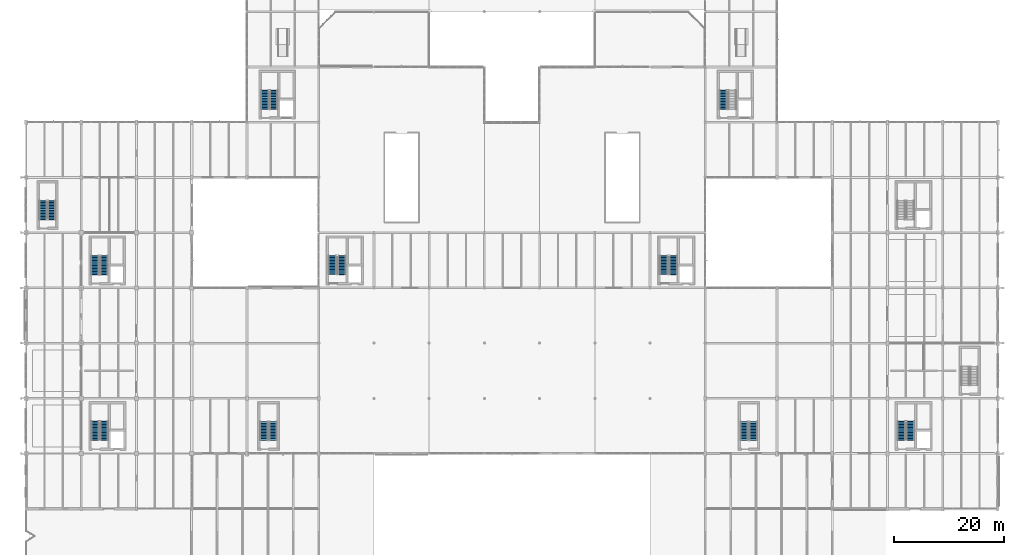
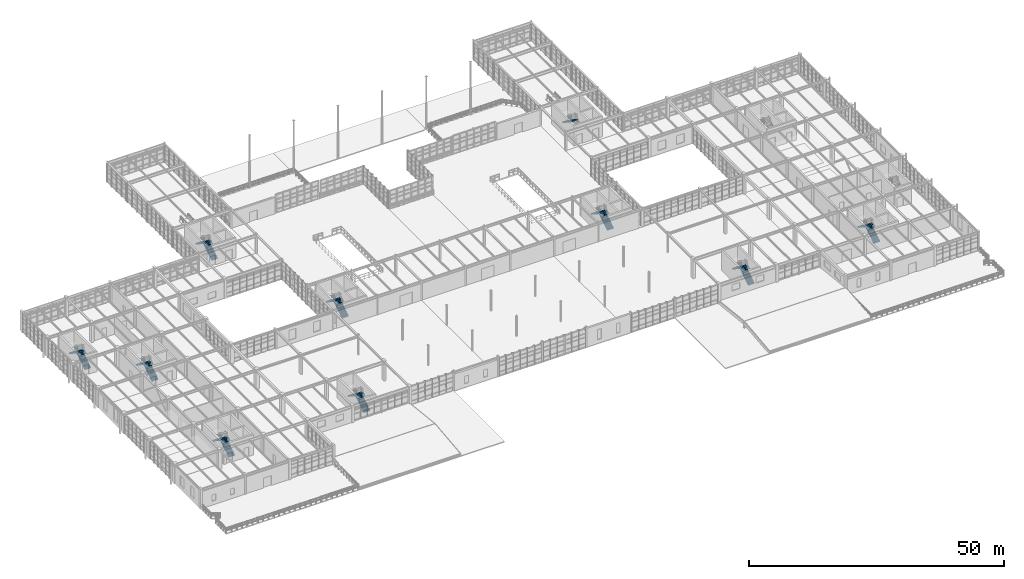
# One storey, part 123 of 139: 19 stair flights, 10 elements without a shape of their own.
"""IFC4 building model written with IfcOpenShell, lengths in metres."""

from ifc_helpers import new_model, si_unit, direction, frame, origin, place, context, subcontext, project, spatial, polyline, outline, extrude, material, type_object, element, aggregate, save


model = new_model("IFC4")

# Units and contexts
model_context = context("Model", 3, precision=1e-05, world=origin(), true_north=direction((0.0, 1.0)))
body_context = subcontext(model_context, "Body", "Model", "MODEL_VIEW")
ifc_project = project(units=[si_unit("LENGTHUNIT", "METRE"), si_unit("AREAUNIT", "SQUARE_METRE"), si_unit("VOLUMEUNIT", "CUBIC_METRE"), si_unit("PLANEANGLEUNIT", "RADIAN"), si_unit("MASSUNIT", "GRAM", prefix="KILO"), si_unit("THERMODYNAMICTEMPERATUREUNIT", "KELVIN"), si_unit("POWERUNIT", "WATT")], contexts=[model_context])

# Site, building, storey
site_placement = place(None, origin())
site = spatial("IfcSite", under=ifc_project, at=site_placement, CompositionType="ELEMENT")
building_placement = place(site_placement, origin())
building = spatial("IfcBuilding", under=site, at=building_placement, Name="Korenveer Ferry Terminal", CompositionType="ELEMENT")
storey_placement = place(building_placement, frame((0.0, 0.0, 5.39990234375)))
storey = spatial("IfcBuildingStorey", under=building, at=storey_placement, Name="L01", CompositionType="ELEMENT", Elevation=5.39990234375)

# Stair, stair flights
ifc_material = material(Name="Concrete C40/50", Category="concrete")
stair_type_1 = type_object("IfcStairType", Name="INT-ST-02", PredefinedType="HALF_TURN_STAIR", material=ifc_material)
stair_1_placement = place(storey_placement, frame((14.175048828125, 22.449951171875, 0.0)))
stair_1 = element("IfcStair", 1, at=stair_1_placement, inside=storey, type_object=stair_type_1, Name="L01 West Firefighting Core K1", PredefinedType="HALF_TURN_STAIR")
stair_flight_type_1 = type_object("IfcStairFlightType", Name="INT-SF-02", PredefinedType="STRAIGHT", material=ifc_material)
stair_flight_1_placement = place(storey_placement, frame((14.175048828125, 22.449951171875, 0.0), z_axis=(0.0, 0.0, 1.0), x_axis=(0.0, 1.0, 0.0)))
stair_flight_1 = element("IfcStairFlight", 2, at=stair_flight_1_placement, type_object=stair_flight_type_1, Name="ST01 flight 1", NumberOfRisers=13, NumberOfTreads=12, PredefinedType="STRAIGHT", RiserHeight=0.184615385, TreadLength=0.28, context=body_context, shape_type="SweptSolid", body=[
    extrude(outline(polyline([(-0.080078125, 0.0), (0.0, 0.0), (0.0, 0.1845703125), (0.280029296875, 0.1845703125), (0.280029296875, 0.369140625), (0.56005859375, 0.369140625), (0.56005859375, 0.553955078125), (0.840087890625, 0.553955078125), (0.840087890625, 0.738525390625), (1.1201171875, 0.738525390625), (1.1201171875, 0.923095703125), (1.39990234375, 0.923095703125), (1.39990234375, 1.107666015625), (1.679931640625, 1.107666015625), (1.679931640625, 1.292236328125), (1.9599609375, 1.292236328125), (1.9599609375, 1.476806640625), (2.239990234375, 1.476806640625), (2.239990234375, 1.66162109375), (2.52001953125, 1.66162109375), (2.52001953125, 1.84619140625), (2.800048828125, 1.84619140625), (2.800048828125, 2.03076171875), (3.080078125, 2.03076171875), (3.080078125, 2.21533203125), (3.360107421875, 2.21533203125), (3.360107421875, 2.39990234375), (3.420166015625, 2.39990234375), (3.420166015625, 2.25), (3.360107421875, 2.035888671875), (0.272216796875, 0.0), (0.0, -0.10009765625), (-0.080078125, -0.10009765625), (-0.080078125, 0.0)])), frame((0.0, 0.72509765625, 0.0), z_axis=(0.0, -1.0, 0.0), x_axis=(1.0, 0.0, 0.0)), (0.0, 0.0, 1.0), 1.449951171875),
])
stair_flight_2_placement = place(storey_placement, frame((12.52490234375, 25.81005859375, 2.400146484375), z_axis=(0.0, 0.0, 1.0), x_axis=(0.0, -1.0, 0.0)))
stair_flight_2 = element("IfcStairFlight", 3, at=stair_flight_2_placement, type_object=stair_flight_type_1, Name="ST01 flight 2", NumberOfRisers=13, NumberOfTreads=12, PredefinedType="STRAIGHT", RiserHeight=0.184615385, TreadLength=0.28, context=body_context, shape_type="SweptSolid", body=[
    extrude(outline(polyline([(-0.080078125, 0.0), (0.0, 0.0), (0.0, 0.1845703125), (0.280029296875, 0.1845703125), (0.280029296875, 0.369140625), (0.56005859375, 0.369140625), (0.56005859375, 0.553955078125), (0.840087890625, 0.553955078125), (0.840087890625, 0.738525390625), (1.1201171875, 0.738525390625), (1.1201171875, 0.923095703125), (1.39990234375, 0.923095703125), (1.39990234375, 1.107666015625), (1.679931640625, 1.107666015625), (1.679931640625, 1.292236328125), (1.9599609375, 1.292236328125), (1.9599609375, 1.476806640625), (2.239990234375, 1.476806640625), (2.239990234375, 1.66162109375), (2.52001953125, 1.66162109375), (2.52001953125, 1.84619140625), (2.800048828125, 1.84619140625), (2.800048828125, 2.03076171875), (3.080078125, 2.03076171875), (3.080078125, 2.21533203125), (3.360107421875, 2.21533203125), (3.360107421875, 2.39990234375), (3.420166015625, 2.39990234375), (3.420166015625, 2.25), (3.360107421875, 2.035888671875), (0.272216796875, 0.0), (0.0, -0.10009765625), (-0.080078125, -0.10009765625), (-0.080078125, 0.0)])), frame((0.0, 0.72509765625, 0.0), z_axis=(0.0, -1.0, 0.0), x_axis=(1.0, 0.0, 0.0)), (0.0, 0.0, 1.0), 1.449951171875),
])
aggregate(stair_1, [stair_flight_1, stair_flight_2])

stair_2_placement = place(storey_placement, frame((14.135009765625, 52.409912109375, 0.0)))
stair_2 = element("IfcStair", 4, at=stair_2_placement, inside=storey, type_object=stair_type_1, Name="L01 West Operations Core K2", PredefinedType="HALF_TURN_STAIR")
stair_flight_3_placement = place(storey_placement, frame((14.135009765625, 52.409912109375, 0.0), z_axis=(0.0, 0.0, 1.0), x_axis=(0.0, 1.0, 0.0)))
stair_flight_3 = element("IfcStairFlight", 5, at=stair_flight_3_placement, type_object=stair_flight_type_1, Name="ST02 flight 1", NumberOfRisers=13, NumberOfTreads=12, PredefinedType="STRAIGHT", RiserHeight=0.184615385, TreadLength=0.28, context=body_context, shape_type="SweptSolid", body=[
    extrude(outline(polyline([(-0.080078125, 0.0), (0.0, 0.0), (0.0, 0.1845703125), (0.280029296875, 0.1845703125), (0.280029296875, 0.369140625), (0.56005859375, 0.369140625), (0.56005859375, 0.553955078125), (0.840087890625, 0.553955078125), (0.840087890625, 0.738525390625), (1.1201171875, 0.738525390625), (1.1201171875, 0.923095703125), (1.39990234375, 0.923095703125), (1.39990234375, 1.107666015625), (1.679931640625, 1.107666015625), (1.679931640625, 1.292236328125), (1.9599609375, 1.292236328125), (1.9599609375, 1.476806640625), (2.239990234375, 1.476806640625), (2.239990234375, 1.66162109375), (2.52001953125, 1.66162109375), (2.52001953125, 1.84619140625), (2.800048828125, 1.84619140625), (2.800048828125, 2.03076171875), (3.080078125, 2.03076171875), (3.080078125, 2.21533203125), (3.360107421875, 2.21533203125), (3.360107421875, 2.39990234375), (3.420166015625, 2.39990234375), (3.420166015625, 2.25), (3.360107421875, 2.035888671875), (0.272216796875, 0.0), (0.0, -0.10009765625), (-0.080078125, -0.10009765625), (-0.080078125, 0.0)])), frame((0.0, 0.72509765625, 0.0), z_axis=(0.0, -1.0, 0.0), x_axis=(1.0, 0.0, 0.0)), (0.0, 0.0, 1.0), 1.449951171875),
])
stair_flight_4_placement = place(storey_placement, frame((12.485107421875, 55.77001953125, 2.400146484375), z_axis=(0.0, 0.0, 1.0), x_axis=(0.0, -1.0, 0.0)))
stair_flight_4 = element("IfcStairFlight", 6, at=stair_flight_4_placement, type_object=stair_flight_type_1, Name="ST02 flight 2", NumberOfRisers=13, NumberOfTreads=12, PredefinedType="STRAIGHT", RiserHeight=0.184615385, TreadLength=0.28, context=body_context, shape_type="SweptSolid", body=[
    extrude(outline(polyline([(-0.080078125, 0.0), (0.0, 0.0), (0.0, 0.1845703125), (0.280029296875, 0.1845703125), (0.280029296875, 0.369140625), (0.56005859375, 0.369140625), (0.56005859375, 0.553955078125), (0.840087890625, 0.553955078125), (0.840087890625, 0.738525390625), (1.1201171875, 0.738525390625), (1.1201171875, 0.923095703125), (1.39990234375, 0.923095703125), (1.39990234375, 1.107666015625), (1.679931640625, 1.107666015625), (1.679931640625, 1.292236328125), (1.9599609375, 1.292236328125), (1.9599609375, 1.476806640625), (2.239990234375, 1.476806640625), (2.239990234375, 1.66162109375), (2.52001953125, 1.66162109375), (2.52001953125, 1.84619140625), (2.800048828125, 1.84619140625), (2.800048828125, 2.03076171875), (3.080078125, 2.03076171875), (3.080078125, 2.21533203125), (3.360107421875, 2.21533203125), (3.360107421875, 2.39990234375), (3.420166015625, 2.39990234375), (3.420166015625, 2.25), (3.360107421875, 2.035888671875), (0.272216796875, 0.0), (0.0, -0.10009765625), (-0.080078125, -0.10009765625), (-0.080078125, 0.0)])), frame((0.0, 0.72509765625, 0.0), z_axis=(0.0, -1.0, 0.0), x_axis=(1.0, 0.0, 0.0)), (0.0, 0.0, 1.0), 1.449951171875),
])
aggregate(stair_2, [stair_flight_3, stair_flight_4])

stair_3_placement = place(storey_placement, frame((160.175048828125, 22.449951171875, 0.0)))
stair_3 = element("IfcStair", 7, at=stair_3_placement, inside=storey, type_object=stair_type_1, Name="L01 East Firefighting Core K3", PredefinedType="HALF_TURN_STAIR")
stair_flight_5_placement = place(storey_placement, frame((160.175048828125, 22.449951171875, 0.0), z_axis=(0.0, 0.0, 1.0), x_axis=(0.0, 1.0, 0.0)))
stair_flight_5 = element("IfcStairFlight", 8, at=stair_flight_5_placement, type_object=stair_flight_type_1, Name="ST03 flight 1", NumberOfRisers=13, NumberOfTreads=12, PredefinedType="STRAIGHT", RiserHeight=0.184615385, TreadLength=0.28, context=body_context, shape_type="SweptSolid", body=[
    extrude(outline(polyline([(-0.080078125, 0.0), (0.0, 0.0), (0.0, 0.1845703125), (0.280029296875, 0.1845703125), (0.280029296875, 0.369140625), (0.56005859375, 0.369140625), (0.56005859375, 0.553955078125), (0.840087890625, 0.553955078125), (0.840087890625, 0.738525390625), (1.1201171875, 0.738525390625), (1.1201171875, 0.923095703125), (1.39990234375, 0.923095703125), (1.39990234375, 1.107666015625), (1.679931640625, 1.107666015625), (1.679931640625, 1.292236328125), (1.9599609375, 1.292236328125), (1.9599609375, 1.476806640625), (2.239990234375, 1.476806640625), (2.239990234375, 1.66162109375), (2.52001953125, 1.66162109375), (2.52001953125, 1.84619140625), (2.800048828125, 1.84619140625), (2.800048828125, 2.03076171875), (3.080078125, 2.03076171875), (3.080078125, 2.21533203125), (3.360107421875, 2.21533203125), (3.360107421875, 2.39990234375), (3.420166015625, 2.39990234375), (3.420166015625, 2.25), (3.360107421875, 2.035888671875), (0.272216796875, 0.0), (0.0, -0.10009765625), (-0.080078125, -0.10009765625), (-0.080078125, 0.0)])), frame((0.0, 0.72509765625, 0.0), z_axis=(0.0, -1.0, 0.0), x_axis=(1.0, 0.0, 0.0)), (0.0, 0.0, 1.0), 1.449951171875),
])
stair_flight_6_placement = place(storey_placement, frame((158.52490234375, 25.81005859375, 2.400146484375), z_axis=(0.0, 0.0, 1.0), x_axis=(0.0, -1.0, 0.0)))
stair_flight_6 = element("IfcStairFlight", 9, at=stair_flight_6_placement, type_object=stair_flight_type_1, Name="ST03 flight 2", NumberOfRisers=13, NumberOfTreads=12, PredefinedType="STRAIGHT", RiserHeight=0.184615385, TreadLength=0.28, context=body_context, shape_type="SweptSolid", body=[
    extrude(outline(polyline([(-0.080078125, 0.0), (0.0, 0.0), (0.0, 0.1845703125), (0.280029296875, 0.1845703125), (0.280029296875, 0.369140625), (0.56005859375, 0.369140625), (0.56005859375, 0.553955078125), (0.840087890625, 0.553955078125), (0.840087890625, 0.738525390625), (1.1201171875, 0.738525390625), (1.1201171875, 0.923095703125), (1.39990234375, 0.923095703125), (1.39990234375, 1.107666015625), (1.679931640625, 1.107666015625), (1.679931640625, 1.292236328125), (1.9599609375, 1.292236328125), (1.9599609375, 1.476806640625), (2.239990234375, 1.476806640625), (2.239990234375, 1.66162109375), (2.52001953125, 1.66162109375), (2.52001953125, 1.84619140625), (2.800048828125, 1.84619140625), (2.800048828125, 2.03076171875), (3.080078125, 2.03076171875), (3.080078125, 2.21533203125), (3.360107421875, 2.21533203125), (3.360107421875, 2.39990234375), (3.420166015625, 2.39990234375), (3.420166015625, 2.25), (3.360107421875, 2.035888671875), (0.272216796875, 0.0), (0.0, -0.10009765625), (-0.080078125, -0.10009765625), (-0.080078125, 0.0)])), frame((0.0, 0.72509765625, 0.0), z_axis=(0.0, -1.0, 0.0), x_axis=(1.0, 0.0, 0.0)), (0.0, 0.0, 1.0), 1.449951171875),
])
aggregate(stair_3, [stair_flight_5, stair_flight_6])

stair_4_placement = place(storey_placement, frame((44.735107421875, 22.409912109375, 0.0)))
stair_4 = element("IfcStair", 10, at=stair_4_placement, inside=storey, type_object=stair_type_1, Name="L01 Arrivals West Stair Core K9", PredefinedType="HALF_TURN_STAIR")
stair_flight_7_placement = place(storey_placement, frame((44.735107421875, 22.409912109375, 0.0), z_axis=(0.0, 0.0, 1.0), x_axis=(0.0, 1.0, 0.0)))
stair_flight_7 = element("IfcStairFlight", 11, at=stair_flight_7_placement, type_object=stair_flight_type_1, Name="ST09 flight 1", NumberOfRisers=13, NumberOfTreads=12, PredefinedType="STRAIGHT", RiserHeight=0.184615385, TreadLength=0.28, context=body_context, shape_type="SweptSolid", body=[
    extrude(outline(polyline([(-0.080078125, 0.0), (0.0, 0.0), (0.0, 0.1845703125), (0.280029296875, 0.1845703125), (0.280029296875, 0.369140625), (0.56005859375, 0.369140625), (0.56005859375, 0.553955078125), (0.840087890625, 0.553955078125), (0.840087890625, 0.738525390625), (1.1201171875, 0.738525390625), (1.1201171875, 0.923095703125), (1.39990234375, 0.923095703125), (1.39990234375, 1.107666015625), (1.679931640625, 1.107666015625), (1.679931640625, 1.292236328125), (1.9599609375, 1.292236328125), (1.9599609375, 1.476806640625), (2.239990234375, 1.476806640625), (2.239990234375, 1.66162109375), (2.52001953125, 1.66162109375), (2.52001953125, 1.84619140625), (2.800048828125, 1.84619140625), (2.800048828125, 2.03076171875), (3.080078125, 2.03076171875), (3.080078125, 2.21533203125), (3.360107421875, 2.21533203125), (3.360107421875, 2.39990234375), (3.420166015625, 2.39990234375), (3.420166015625, 2.25), (3.360107421875, 2.035888671875), (0.272216796875, 0.0), (0.0, -0.10009765625), (-0.080078125, -0.10009765625), (-0.080078125, 0.0)])), frame((0.0, 0.72509765625, 0.0), z_axis=(0.0, -1.0, 0.0), x_axis=(1.0, 0.0, 0.0)), (0.0, 0.0, 1.0), 1.449951171875),
])
stair_flight_8_placement = place(storey_placement, frame((43.0849609375, 25.77001953125, 2.400146484375), z_axis=(0.0, 0.0, 1.0), x_axis=(0.0, -1.0, 0.0)))
stair_flight_8 = element("IfcStairFlight", 12, at=stair_flight_8_placement, type_object=stair_flight_type_1, Name="ST09 flight 2", NumberOfRisers=13, NumberOfTreads=12, PredefinedType="STRAIGHT", RiserHeight=0.184615385, TreadLength=0.28, context=body_context, shape_type="SweptSolid", body=[
    extrude(outline(polyline([(-0.080078125, 0.0), (0.0, 0.0), (0.0, 0.1845703125), (0.280029296875, 0.1845703125), (0.280029296875, 0.369140625), (0.56005859375, 0.369140625), (0.56005859375, 0.553955078125), (0.840087890625, 0.553955078125), (0.840087890625, 0.738525390625), (1.1201171875, 0.738525390625), (1.1201171875, 0.923095703125), (1.39990234375, 0.923095703125), (1.39990234375, 1.107666015625), (1.679931640625, 1.107666015625), (1.679931640625, 1.292236328125), (1.9599609375, 1.292236328125), (1.9599609375, 1.476806640625), (2.239990234375, 1.476806640625), (2.239990234375, 1.66162109375), (2.52001953125, 1.66162109375), (2.52001953125, 1.84619140625), (2.800048828125, 1.84619140625), (2.800048828125, 2.03076171875), (3.080078125, 2.03076171875), (3.080078125, 2.21533203125), (3.360107421875, 2.21533203125), (3.360107421875, 2.39990234375), (3.420166015625, 2.39990234375), (3.420166015625, 2.25), (3.360107421875, 2.035888671875), (0.272216796875, 0.0), (0.0, -0.10009765625), (-0.080078125, -0.10009765625), (-0.080078125, 0.0)])), frame((0.0, 0.72509765625, 0.0), z_axis=(0.0, -1.0, 0.0), x_axis=(1.0, 0.0, 0.0)), (0.0, 0.0, 1.0), 1.449951171875),
])
aggregate(stair_4, [stair_flight_7, stair_flight_8])

stair_5_placement = place(storey_placement, frame((131.735107421875, 22.409912109375, 0.0)))
stair_5 = element("IfcStair", 13, at=stair_5_placement, inside=storey, type_object=stair_type_1, Name="L01 Arrivals East Stair Core K10", PredefinedType="HALF_TURN_STAIR")
stair_flight_9_placement = place(storey_placement, frame((131.735107421875, 22.409912109375, 0.0), z_axis=(0.0, 0.0, 1.0), x_axis=(0.0, 1.0, 0.0)))
stair_flight_9 = element("IfcStairFlight", 14, at=stair_flight_9_placement, type_object=stair_flight_type_1, Name="ST10 flight 1", NumberOfRisers=13, NumberOfTreads=12, PredefinedType="STRAIGHT", RiserHeight=0.184615385, TreadLength=0.28, context=body_context, shape_type="SweptSolid", body=[
    extrude(outline(polyline([(-0.080078125, 0.0), (0.0, 0.0), (0.0, 0.1845703125), (0.280029296875, 0.1845703125), (0.280029296875, 0.369140625), (0.56005859375, 0.369140625), (0.56005859375, 0.553955078125), (0.840087890625, 0.553955078125), (0.840087890625, 0.738525390625), (1.1201171875, 0.738525390625), (1.1201171875, 0.923095703125), (1.39990234375, 0.923095703125), (1.39990234375, 1.107666015625), (1.679931640625, 1.107666015625), (1.679931640625, 1.292236328125), (1.9599609375, 1.292236328125), (1.9599609375, 1.476806640625), (2.239990234375, 1.476806640625), (2.239990234375, 1.66162109375), (2.52001953125, 1.66162109375), (2.52001953125, 1.84619140625), (2.800048828125, 1.84619140625), (2.800048828125, 2.03076171875), (3.080078125, 2.03076171875), (3.080078125, 2.21533203125), (3.360107421875, 2.21533203125), (3.360107421875, 2.39990234375), (3.420166015625, 2.39990234375), (3.420166015625, 2.25), (3.360107421875, 2.035888671875), (0.272216796875, 0.0), (0.0, -0.10009765625), (-0.080078125, -0.10009765625), (-0.080078125, 0.0)])), frame((0.0, 0.72509765625, 0.0), z_axis=(0.0, -1.0, 0.0), x_axis=(1.0, 0.0, 0.0)), (0.0, 0.0, 1.0), 1.449951171875),
])
stair_flight_10_placement = place(storey_placement, frame((130.0849609375, 25.77001953125, 2.400146484375), z_axis=(0.0, 0.0, 1.0), x_axis=(0.0, -1.0, 0.0)))
stair_flight_10 = element("IfcStairFlight", 15, at=stair_flight_10_placement, type_object=stair_flight_type_1, Name="ST10 flight 2", NumberOfRisers=13, NumberOfTreads=12, PredefinedType="STRAIGHT", RiserHeight=0.184615385, TreadLength=0.28, context=body_context, shape_type="SweptSolid", body=[
    extrude(outline(polyline([(-0.080078125, 0.0), (0.0, 0.0), (0.0, 0.1845703125), (0.280029296875, 0.1845703125), (0.280029296875, 0.369140625), (0.56005859375, 0.369140625), (0.56005859375, 0.553955078125), (0.840087890625, 0.553955078125), (0.840087890625, 0.738525390625), (1.1201171875, 0.738525390625), (1.1201171875, 0.923095703125), (1.39990234375, 0.923095703125), (1.39990234375, 1.107666015625), (1.679931640625, 1.107666015625), (1.679931640625, 1.292236328125), (1.9599609375, 1.292236328125), (1.9599609375, 1.476806640625), (2.239990234375, 1.476806640625), (2.239990234375, 1.66162109375), (2.52001953125, 1.66162109375), (2.52001953125, 1.84619140625), (2.800048828125, 1.84619140625), (2.800048828125, 2.03076171875), (3.080078125, 2.03076171875), (3.080078125, 2.21533203125), (3.360107421875, 2.21533203125), (3.360107421875, 2.39990234375), (3.420166015625, 2.39990234375), (3.420166015625, 2.25), (3.360107421875, 2.035888671875), (0.272216796875, 0.0), (0.0, -0.10009765625), (-0.080078125, -0.10009765625), (-0.080078125, 0.0)])), frame((0.0, 0.72509765625, 0.0), z_axis=(0.0, -1.0, 0.0), x_axis=(1.0, 0.0, 0.0)), (0.0, 0.0, 1.0), 1.449951171875),
])
aggregate(stair_5, [stair_flight_9, stair_flight_10])

stair_type_2 = type_object("IfcStairType", Name="INT-ST-06", PredefinedType="HALF_TURN_STAIR", material=ifc_material)
stair_6_placement = place(storey_placement, frame((57.2099609375, 52.4599609375, 0.0)))
stair_6 = element("IfcStair", 16, at=stair_6_placement, inside=storey, type_object=stair_type_2, Name="L01 Departure West Core K5", PredefinedType="HALF_TURN_STAIR")
stair_flight_type_2 = type_object("IfcStairFlightType", Name="INT-SF-06", PredefinedType="STRAIGHT", material=ifc_material)
stair_flight_11_placement = place(storey_placement, frame((57.2099609375, 52.4599609375, 0.0), z_axis=(0.0, 0.0, 1.0), x_axis=(0.0, 1.0, 0.0)))
stair_flight_11 = element("IfcStairFlight", 17, at=stair_flight_11_placement, type_object=stair_flight_type_2, Name="ST05 flight 1", NumberOfRisers=13, NumberOfTreads=12, PredefinedType="STRAIGHT", RiserHeight=0.184615385, TreadLength=0.28, context=body_context, shape_type="SweptSolid", body=[
    extrude(outline(polyline([(-0.080078125, 0.0), (0.0, 0.0), (0.0, 0.1845703125), (0.280029296875, 0.1845703125), (0.280029296875, 0.369140625), (0.56005859375, 0.369140625), (0.56005859375, 0.553955078125), (0.840087890625, 0.553955078125), (0.840087890625, 0.738525390625), (1.1201171875, 0.738525390625), (1.1201171875, 0.923095703125), (1.39990234375, 0.923095703125), (1.39990234375, 1.107666015625), (1.679931640625, 1.107666015625), (1.679931640625, 1.292236328125), (1.9599609375, 1.292236328125), (1.9599609375, 1.476806640625), (2.239990234375, 1.476806640625), (2.239990234375, 1.66162109375), (2.52001953125, 1.66162109375), (2.52001953125, 1.84619140625), (2.800048828125, 1.84619140625), (2.800048828125, 2.03076171875), (3.080078125, 2.03076171875), (3.080078125, 2.21533203125), (3.360107421875, 2.21533203125), (3.360107421875, 2.39990234375), (3.420166015625, 2.39990234375), (3.420166015625, 2.25), (3.360107421875, 2.035888671875), (0.272216796875, 0.0), (0.0, -0.10009765625), (-0.080078125, -0.10009765625), (-0.080078125, 0.0)])), frame((0.0, 0.75, 0.0), z_axis=(0.0, -1.0, 0.0), x_axis=(1.0, 0.0, 0.0)), (0.0, 0.0, 1.0), 1.5),
])
stair_flight_12_placement = place(storey_placement, frame((55.510009765625, 55.820068359375, 2.400146484375), z_axis=(0.0, 0.0, 1.0), x_axis=(0.0, -1.0, 0.0)))
stair_flight_12 = element("IfcStairFlight", 18, at=stair_flight_12_placement, type_object=stair_flight_type_2, Name="ST05 flight 2", NumberOfRisers=13, NumberOfTreads=12, PredefinedType="STRAIGHT", RiserHeight=0.184615385, TreadLength=0.28, context=body_context, shape_type="SweptSolid", body=[
    extrude(outline(polyline([(-0.080078125, 0.0), (0.0, 0.0), (0.0, 0.1845703125), (0.280029296875, 0.1845703125), (0.280029296875, 0.369140625), (0.56005859375, 0.369140625), (0.56005859375, 0.553955078125), (0.840087890625, 0.553955078125), (0.840087890625, 0.738525390625), (1.1201171875, 0.738525390625), (1.1201171875, 0.923095703125), (1.39990234375, 0.923095703125), (1.39990234375, 1.107666015625), (1.679931640625, 1.107666015625), (1.679931640625, 1.292236328125), (1.9599609375, 1.292236328125), (1.9599609375, 1.476806640625), (2.239990234375, 1.476806640625), (2.239990234375, 1.66162109375), (2.52001953125, 1.66162109375), (2.52001953125, 1.84619140625), (2.800048828125, 1.84619140625), (2.800048828125, 2.03076171875), (3.080078125, 2.03076171875), (3.080078125, 2.21533203125), (3.360107421875, 2.21533203125), (3.360107421875, 2.39990234375), (3.420166015625, 2.39990234375), (3.420166015625, 2.25), (3.360107421875, 2.035888671875), (0.272216796875, 0.0), (0.0, -0.10009765625), (-0.080078125, -0.10009765625), (-0.080078125, 0.0)])), frame((0.0, 0.75, 0.0), z_axis=(0.0, -1.0, 0.0), x_axis=(1.0, 0.0, 0.0)), (0.0, 0.0, 1.0), 1.5),
])
aggregate(stair_6, [stair_flight_11, stair_flight_12])

stair_7_placement = place(storey_placement, frame((117.2099609375, 52.4599609375, 0.0)))
stair_7 = element("IfcStair", 19, at=stair_7_placement, inside=storey, type_object=stair_type_2, Name="L01 Departure East Core K6", PredefinedType="HALF_TURN_STAIR")
stair_flight_13_placement = place(storey_placement, frame((117.2099609375, 52.4599609375, 0.0), z_axis=(0.0, 0.0, 1.0), x_axis=(0.0, 1.0, 0.0)))
stair_flight_13 = element("IfcStairFlight", 20, at=stair_flight_13_placement, type_object=stair_flight_type_2, Name="ST06 flight 1", NumberOfRisers=13, NumberOfTreads=12, PredefinedType="STRAIGHT", RiserHeight=0.184615385, TreadLength=0.28, context=body_context, shape_type="SweptSolid", body=[
    extrude(outline(polyline([(-0.080078125, 0.0), (0.0, 0.0), (0.0, 0.1845703125), (0.280029296875, 0.1845703125), (0.280029296875, 0.369140625), (0.56005859375, 0.369140625), (0.56005859375, 0.553955078125), (0.840087890625, 0.553955078125), (0.840087890625, 0.738525390625), (1.1201171875, 0.738525390625), (1.1201171875, 0.923095703125), (1.39990234375, 0.923095703125), (1.39990234375, 1.107666015625), (1.679931640625, 1.107666015625), (1.679931640625, 1.292236328125), (1.9599609375, 1.292236328125), (1.9599609375, 1.476806640625), (2.239990234375, 1.476806640625), (2.239990234375, 1.66162109375), (2.52001953125, 1.66162109375), (2.52001953125, 1.84619140625), (2.800048828125, 1.84619140625), (2.800048828125, 2.03076171875), (3.080078125, 2.03076171875), (3.080078125, 2.21533203125), (3.360107421875, 2.21533203125), (3.360107421875, 2.39990234375), (3.420166015625, 2.39990234375), (3.420166015625, 2.25), (3.360107421875, 2.035888671875), (0.272216796875, 0.0), (0.0, -0.10009765625), (-0.080078125, -0.10009765625), (-0.080078125, 0.0)])), frame((0.0, 0.75, 0.0), z_axis=(0.0, -1.0, 0.0), x_axis=(1.0, 0.0, 0.0)), (0.0, 0.0, 1.0), 1.5),
])
stair_flight_14_placement = place(storey_placement, frame((115.510009765625, 55.820068359375, 2.400146484375), z_axis=(0.0, 0.0, 1.0), x_axis=(0.0, -1.0, 0.0)))
stair_flight_14 = element("IfcStairFlight", 21, at=stair_flight_14_placement, type_object=stair_flight_type_2, Name="ST06 flight 2", NumberOfRisers=13, NumberOfTreads=12, PredefinedType="STRAIGHT", RiserHeight=0.184615385, TreadLength=0.28, context=body_context, shape_type="SweptSolid", body=[
    extrude(outline(polyline([(-0.080078125, 0.0), (0.0, 0.0), (0.0, 0.1845703125), (0.280029296875, 0.1845703125), (0.280029296875, 0.369140625), (0.56005859375, 0.369140625), (0.56005859375, 0.553955078125), (0.840087890625, 0.553955078125), (0.840087890625, 0.738525390625), (1.1201171875, 0.738525390625), (1.1201171875, 0.923095703125), (1.39990234375, 0.923095703125), (1.39990234375, 1.107666015625), (1.679931640625, 1.107666015625), (1.679931640625, 1.292236328125), (1.9599609375, 1.292236328125), (1.9599609375, 1.476806640625), (2.239990234375, 1.476806640625), (2.239990234375, 1.66162109375), (2.52001953125, 1.66162109375), (2.52001953125, 1.84619140625), (2.800048828125, 1.84619140625), (2.800048828125, 2.03076171875), (3.080078125, 2.03076171875), (3.080078125, 2.21533203125), (3.360107421875, 2.21533203125), (3.360107421875, 2.39990234375), (3.420166015625, 2.39990234375), (3.420166015625, 2.25), (3.360107421875, 2.035888671875), (0.272216796875, 0.0), (0.0, -0.10009765625), (-0.080078125, -0.10009765625), (-0.080078125, 0.0)])), frame((0.0, 0.75, 0.0), z_axis=(0.0, -1.0, 0.0), x_axis=(1.0, 0.0, 0.0)), (0.0, 0.0, 1.0), 1.5),
])
aggregate(stair_7, [stair_flight_13, stair_flight_14])

stair_type_3 = type_object("IfcStairType", Name="INT-ST-08", PredefinedType="HALF_TURN_STAIR", material=ifc_material)
stair_8_placement = place(storey_placement, frame((44.889892578125, 82.3798828125, 0.0)))
stair_8 = element("IfcStair", 22, at=stair_8_placement, inside=storey, type_object=stair_type_3, Name="L01 West Berth Pier Core K7", PredefinedType="HALF_TURN_STAIR")
stair_flight_type_3 = type_object("IfcStairFlightType", Name="INT-SF-08", PredefinedType="STRAIGHT", material=ifc_material)
stair_flight_15_placement = place(storey_placement, frame((44.889892578125, 82.3798828125, 0.0), z_axis=(0.0, 0.0, 1.0), x_axis=(0.0, 1.0, 0.0)))
stair_flight_15 = element("IfcStairFlight", 23, at=stair_flight_15_placement, type_object=stair_flight_type_3, Name="ST07 flight 1", NumberOfRisers=13, NumberOfTreads=12, PredefinedType="STRAIGHT", RiserHeight=0.184615385, TreadLength=0.28, context=body_context, shape_type="SweptSolid", body=[
    extrude(outline(polyline([(-0.080078125, 0.0), (0.0, 0.0), (0.0, 0.1845703125), (0.280029296875, 0.1845703125), (0.280029296875, 0.369140625), (0.56005859375, 0.369140625), (0.56005859375, 0.553955078125), (0.840087890625, 0.553955078125), (0.840087890625, 0.738525390625), (1.1201171875, 0.738525390625), (1.1201171875, 0.923095703125), (1.39990234375, 0.923095703125), (1.39990234375, 1.107666015625), (1.679931640625, 1.107666015625), (1.679931640625, 1.292236328125), (1.9599609375, 1.292236328125), (1.9599609375, 1.476806640625), (2.239990234375, 1.476806640625), (2.239990234375, 1.66162109375), (2.52001953125, 1.66162109375), (2.52001953125, 1.84619140625), (2.800048828125, 1.84619140625), (2.800048828125, 2.03076171875), (3.080078125, 2.03076171875), (3.080078125, 2.21533203125), (3.360107421875, 2.21533203125), (3.360107421875, 2.39990234375), (3.420166015625, 2.39990234375), (3.420166015625, 2.25), (3.360107421875, 2.035888671875), (0.272216796875, 0.0), (0.0, -0.10009765625), (-0.080078125, -0.10009765625), (-0.080078125, 0.0)])), frame((0.0, 0.7099609375, 0.0), z_axis=(0.0, -1.0, 0.0), x_axis=(1.0, 0.0, 0.0)), (0.0, 0.0, 1.0), 1.419921875),
])
stair_flight_16_placement = place(storey_placement, frame((43.27001953125, 85.739990234375, 2.400146484375), z_axis=(0.0, 0.0, 1.0), x_axis=(0.0, -1.0, 0.0)))
stair_flight_16 = element("IfcStairFlight", 24, at=stair_flight_16_placement, type_object=stair_flight_type_3, Name="ST07 flight 2", NumberOfRisers=13, NumberOfTreads=12, PredefinedType="STRAIGHT", RiserHeight=0.184615385, TreadLength=0.28, context=body_context, shape_type="SweptSolid", body=[
    extrude(outline(polyline([(-0.080078125, 0.0), (0.0, 0.0), (0.0, 0.1845703125), (0.280029296875, 0.1845703125), (0.280029296875, 0.369140625), (0.56005859375, 0.369140625), (0.56005859375, 0.553955078125), (0.840087890625, 0.553955078125), (0.840087890625, 0.738525390625), (1.1201171875, 0.738525390625), (1.1201171875, 0.923095703125), (1.39990234375, 0.923095703125), (1.39990234375, 1.107666015625), (1.679931640625, 1.107666015625), (1.679931640625, 1.292236328125), (1.9599609375, 1.292236328125), (1.9599609375, 1.476806640625), (2.239990234375, 1.476806640625), (2.239990234375, 1.66162109375), (2.52001953125, 1.66162109375), (2.52001953125, 1.84619140625), (2.800048828125, 1.84619140625), (2.800048828125, 2.03076171875), (3.080078125, 2.03076171875), (3.080078125, 2.21533203125), (3.360107421875, 2.21533203125), (3.360107421875, 2.39990234375), (3.420166015625, 2.39990234375), (3.420166015625, 2.25), (3.360107421875, 2.035888671875), (0.272216796875, 0.0), (0.0, -0.10009765625), (-0.080078125, -0.10009765625), (-0.080078125, 0.0)])), frame((0.0, 0.7099609375, 0.0), z_axis=(0.0, -1.0, 0.0), x_axis=(1.0, 0.0, 0.0)), (0.0, 0.0, 1.0), 1.419921875),
])
aggregate(stair_8, [stair_flight_15, stair_flight_16])

# Stair, stair flight
stair_9_placement = place(storey_placement, frame((127.889892578125, 82.3798828125, 0.0)))
stair_9 = element("IfcStair", 25, at=stair_9_placement, inside=storey, type_object=stair_type_3, Name="L01 East Berth Pier Core K8", PredefinedType="HALF_TURN_STAIR")
stair_flight_17_placement = place(storey_placement, frame((126.27001953125, 85.739990234375, 2.400146484375), z_axis=(0.0, 0.0, 1.0), x_axis=(0.0, -1.0, 0.0)))
stair_flight_17 = element("IfcStairFlight", 26, at=stair_flight_17_placement, type_object=stair_flight_type_3, Name="ST08 flight 2", NumberOfRisers=13, NumberOfTreads=12, PredefinedType="STRAIGHT", RiserHeight=0.184615385, TreadLength=0.28, context=body_context, shape_type="SweptSolid", body=[
    extrude(outline(polyline([(-0.080078125, 0.0), (0.0, 0.0), (0.0, 0.1845703125), (0.280029296875, 0.1845703125), (0.280029296875, 0.369140625), (0.56005859375, 0.369140625), (0.56005859375, 0.553955078125), (0.840087890625, 0.553955078125), (0.840087890625, 0.738525390625), (1.1201171875, 0.738525390625), (1.1201171875, 0.923095703125), (1.39990234375, 0.923095703125), (1.39990234375, 1.107666015625), (1.679931640625, 1.107666015625), (1.679931640625, 1.292236328125), (1.9599609375, 1.292236328125), (1.9599609375, 1.476806640625), (2.239990234375, 1.476806640625), (2.239990234375, 1.66162109375), (2.52001953125, 1.66162109375), (2.52001953125, 1.84619140625), (2.800048828125, 1.84619140625), (2.800048828125, 2.03076171875), (3.080078125, 2.03076171875), (3.080078125, 2.21533203125), (3.360107421875, 2.21533203125), (3.360107421875, 2.39990234375), (3.420166015625, 2.39990234375), (3.420166015625, 2.25), (3.360107421875, 2.035888671875), (0.272216796875, 0.0), (0.0, -0.10009765625), (-0.080078125, -0.10009765625), (-0.080078125, 0.0)])), frame((0.0, 0.7099609375, 0.0), z_axis=(0.0, -1.0, 0.0), x_axis=(1.0, 0.0, 0.0)), (0.0, 0.0, 1.0), 1.419921875),
])
aggregate(stair_9, [stair_flight_17])

# Stair, stair flights
stair_10_placement = place(storey_placement, frame((4.68994140625, 62.3798828125, 0.0)))
stair_10 = element("IfcStair", 27, at=stair_10_placement, inside=storey, type_object=stair_type_3, Name="L01 Harbourmaster North Stair Core K11", PredefinedType="HALF_TURN_STAIR")
stair_flight_18_placement = place(storey_placement, frame((4.68994140625, 62.3798828125, 0.0), z_axis=(0.0, 0.0, 1.0), x_axis=(0.0, 1.0, 0.0)))
stair_flight_18 = element("IfcStairFlight", 28, at=stair_flight_18_placement, type_object=stair_flight_type_3, Name="ST11 flight 1", NumberOfRisers=13, NumberOfTreads=12, PredefinedType="STRAIGHT", RiserHeight=0.184615385, TreadLength=0.28, context=body_context, shape_type="SweptSolid", body=[
    extrude(outline(polyline([(-0.080078125, 0.0), (0.0, 0.0), (0.0, 0.1845703125), (0.280029296875, 0.1845703125), (0.280029296875, 0.369140625), (0.56005859375, 0.369140625), (0.56005859375, 0.553955078125), (0.840087890625, 0.553955078125), (0.840087890625, 0.738525390625), (1.1201171875, 0.738525390625), (1.1201171875, 0.923095703125), (1.39990234375, 0.923095703125), (1.39990234375, 1.107666015625), (1.679931640625, 1.107666015625), (1.679931640625, 1.292236328125), (1.9599609375, 1.292236328125), (1.9599609375, 1.476806640625), (2.239990234375, 1.476806640625), (2.239990234375, 1.66162109375), (2.52001953125, 1.66162109375), (2.52001953125, 1.84619140625), (2.800048828125, 1.84619140625), (2.800048828125, 2.03076171875), (3.080078125, 2.03076171875), (3.080078125, 2.21533203125), (3.360107421875, 2.21533203125), (3.360107421875, 2.39990234375), (3.420166015625, 2.39990234375), (3.420166015625, 2.25), (3.360107421875, 2.035888671875), (0.272216796875, 0.0), (0.0, -0.10009765625), (-0.080078125, -0.10009765625), (-0.080078125, 0.0)])), frame((0.0, 0.7099609375, 0.0), z_axis=(0.0, -1.0, 0.0), x_axis=(1.0, 0.0, 0.0)), (0.0, 0.0, 1.0), 1.419921875),
])
stair_flight_19_placement = place(storey_placement, frame((3.070068359375, 65.739990234375, 2.400146484375), z_axis=(0.0, 0.0, 1.0), x_axis=(0.0, -1.0, 0.0)))
stair_flight_19 = element("IfcStairFlight", 29, at=stair_flight_19_placement, type_object=stair_flight_type_3, Name="ST11 flight 2", NumberOfRisers=13, NumberOfTreads=12, PredefinedType="STRAIGHT", RiserHeight=0.184615385, TreadLength=0.28, context=body_context, shape_type="SweptSolid", body=[
    extrude(outline(polyline([(-0.080078125, 0.0), (0.0, 0.0), (0.0, 0.1845703125), (0.280029296875, 0.1845703125), (0.280029296875, 0.369140625), (0.56005859375, 0.369140625), (0.56005859375, 0.553955078125), (0.840087890625, 0.553955078125), (0.840087890625, 0.738525390625), (1.1201171875, 0.738525390625), (1.1201171875, 0.923095703125), (1.39990234375, 0.923095703125), (1.39990234375, 1.107666015625), (1.679931640625, 1.107666015625), (1.679931640625, 1.292236328125), (1.9599609375, 1.292236328125), (1.9599609375, 1.476806640625), (2.239990234375, 1.476806640625), (2.239990234375, 1.66162109375), (2.52001953125, 1.66162109375), (2.52001953125, 1.84619140625), (2.800048828125, 1.84619140625), (2.800048828125, 2.03076171875), (3.080078125, 2.03076171875), (3.080078125, 2.21533203125), (3.360107421875, 2.21533203125), (3.360107421875, 2.39990234375), (3.420166015625, 2.39990234375), (3.420166015625, 2.25), (3.360107421875, 2.035888671875), (0.272216796875, 0.0), (0.0, -0.10009765625), (-0.080078125, -0.10009765625), (-0.080078125, 0.0)])), frame((0.0, 0.7099609375, 0.0), z_axis=(0.0, -1.0, 0.0), x_axis=(1.0, 0.0, 0.0)), (0.0, 0.0, 1.0), 1.419921875),
])
aggregate(stair_10, [stair_flight_18, stair_flight_19])

save(model, "model.ifc")
